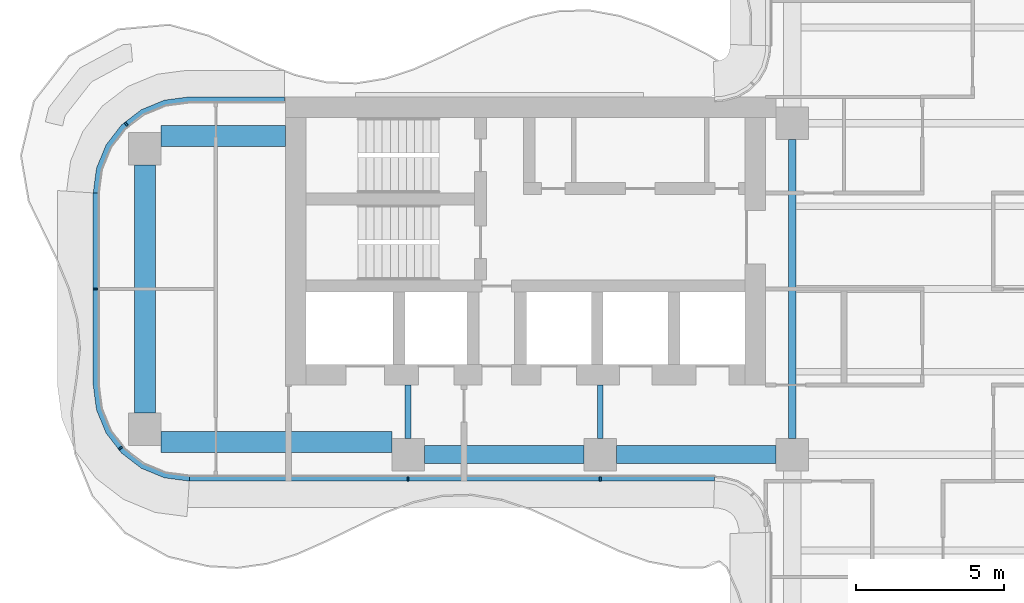
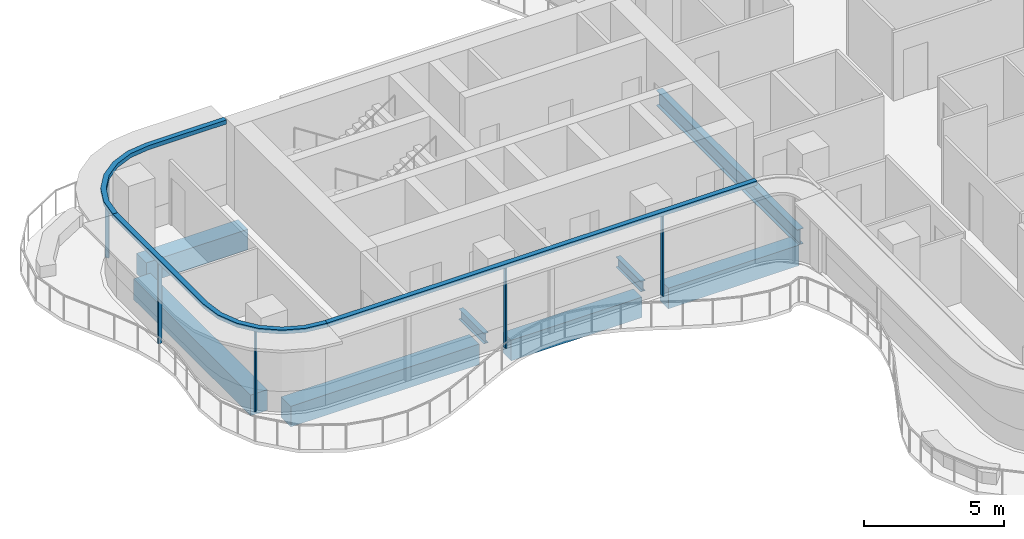
# One storey, part 3 of 16: 8 beams, 8 members, 3 elements without a shape of their own.
"""IFC4 building model written with IfcOpenShell, lengths in metres."""

from ifc_helpers import new_model, si_unit, direction, frame, origin, origin_2d, place, context, subcontext, project, spatial, polyline, rectangle, i_section, outline, extrude, source, transform, mapped, material, layer, layer_set, material_profile, profile_set, type_object, element, aggregate, save


model = new_model("IFC4")

# Units and contexts
model_context = context("Model", 3, precision=1e-05, world=origin(), true_north=direction((0.0, 1.0)))
body_context = subcontext(model_context, "Body", "Model", "MODEL_VIEW")
ifc_project = project(units=[si_unit("LENGTHUNIT", "METRE"), si_unit("AREAUNIT", "SQUARE_METRE"), si_unit("VOLUMEUNIT", "CUBIC_METRE"), si_unit("PLANEANGLEUNIT", "RADIAN"), si_unit("MASSUNIT", "GRAM", prefix="KILO")], contexts=[model_context])

# Site, building, storey
site_placement = place(None, origin())
site = spatial("IfcSite", under=ifc_project, at=site_placement, CompositionType="ELEMENT")
building_placement = place(site_placement, origin())
building = spatial("IfcBuilding", under=site, at=building_placement, Name="Trellis Farm Tower", CompositionType="ELEMENT")
storey_placement = place(building_placement, frame((0.0, 0.0, 263.60009765625)))
storey = spatial("IfcBuildingStorey", under=building, at=storey_placement, Name="L59", CompositionType="ELEMENT", Elevation=263.60009765625)

# Beams
ifc_material_1 = material(Name="Steel S355", Category="steel")
ifc_material_profile_1 = material_profile(ifc_material_1, i_section(OverallWidth=0.253662109375, OverallDepth=0.68359375, WebThickness=0.012451171875, FlangeThickness=0.021728515625, FilletRadius=0.01513671875, at=origin_2d()), Name="UB 686x254x140")
ifc_profile_set_1 = profile_set([ifc_material_profile_1], Name="Steel S355")
beam_type_1 = type_object("IfcBeamType", Name="UB 686x254x140", PredefinedType="BEAM", material=ifc_profile_set_1)
shared_shape_1 = source(origin(), body_context, "Body", "SweptSolid", [
    extrude(i_section(OverallWidth=0.253662109375, OverallDepth=0.68359375, WebThickness=0.012451171875, FlangeThickness=0.021728515625, FilletRadius=0.01513671875, at=origin_2d()), origin(), (0.0, 0.0, 1.0), 10.10009765625),
])
beam_1_placement = place(storey_placement, frame((-5.60009765625, -5.050048828125, -0.541748046875), z_axis=(0.0, 1.0, 0.0), x_axis=(-1.0, 0.0, 0.0)))
element("IfcBeam", 1, at=beam_1_placement, inside=storey, type_object=beam_type_1, Name="Girder", PredefinedType="BEAM", context=body_context, shape_type="MappedRepresentation", body=[
    mapped(shared_shape_1, transform((0.0, 0.0, 0.0))),
])
ifc_material_profile_2 = material_profile(ifc_material_1, i_section(OverallWidth=0.1904296875, OverallDepth=0.45703125, WebThickness=0.009033203125, FlangeThickness=0.014404296875, FilletRadius=0.01025390625, at=origin_2d()), Name="UB 457x191x74")
ifc_profile_set_2 = profile_set([ifc_material_profile_2], Name="Steel S355")
beam_type_2 = type_object("IfcBeamType", Name="UB 457x191x74", PredefinedType="BEAM", material=ifc_profile_set_2)
shared_shape_2 = source(origin(), body_context, "Body", "SweptSolid", [
    extrude(i_section(OverallWidth=0.1904296875, OverallDepth=0.45703125, WebThickness=0.009033203125, FlangeThickness=0.014404296875, FilletRadius=0.01025390625, at=origin_2d()), origin(), (0.0, 0.0, 1.0), 1.800048828125),
])
for number, where, z_axis, x_axis, name in (
    (2, (-18.60009765625, -5.050048828125, -0.4287109375), (0.0, 1.0, 0.0), (-1.0, 0.0, 0.0), "Girder"),
    (3, (-12.10009765625, -5.050048828125, -0.4287109375), (0.0, 1.0, 0.0), (-1.0, 0.0, 0.0), "Girder"),
):
    element("IfcBeam", number, at=place(storey_placement, frame(where, z_axis=z_axis, x_axis=x_axis)), inside=storey, type_object=beam_type_2, Name=name, PredefinedType="BEAM", context=body_context, shape_type="MappedRepresentation", body=[
        mapped(shared_shape_2, transform((0.0, 0.0, 0.0))),
    ])
ifc_material_2 = material(Name="Concrete C60/75", Category="concrete")
ifc_material_profile_3 = material_profile(ifc_material_2, rectangle(XDim=0.60009765625, YDim=0.89990234375, at=origin_2d()), Name="RC spandrel beam 600x900 C60/75")
ifc_profile_set_3 = profile_set([ifc_material_profile_3], Name="Concrete C60/75")
beam_type_3 = type_object("IfcBeamType", Name="RC spandrel beam 600x900 C60/75", PredefinedType="SPANDREL", material=ifc_profile_set_3)
shared_shape_3 = source(origin(), body_context, "Body", "SweptSolid", [
    extrude(rectangle(XDim=0.60009765625, YDim=0.89990234375, at=origin_2d()), origin(), (0.0, 0.0, 1.0), 5.400146484375),
])
for number, where, z_axis, x_axis, name in (
    (4, (-18.050048828125, -5.60009765625, -0.650146484375), (1.0, 0.0, 0.0), (0.0, 1.0, 0.0), "Girder"),
    (5, (-11.550048828125, -5.60009765625, -0.650146484375), (1.0, 0.0, 0.0), (0.0, 1.0, 0.0), "Girder"),
):
    element("IfcBeam", number, at=place(storey_placement, frame(where, z_axis=z_axis, x_axis=x_axis)), inside=storey, type_object=beam_type_3, Name=name, PredefinedType="SPANDREL", context=body_context, shape_type="MappedRepresentation", body=[
        mapped(shared_shape_3, transform((0.0, 0.0, 0.0))),
    ])
ifc_material_profile_4 = material_profile(ifc_material_2, rectangle(XDim=0.699951171875, YDim=0.89990234375, at=origin_2d()), Name="RC spandrel beam 700x900 C60/75")
ifc_profile_set_4 = profile_set([ifc_material_profile_4], Name="Concrete C60/75")
beam_type_4 = type_object("IfcBeamType", Name="RC spandrel beam 700x900 C60/75", PredefinedType="SPANDREL", material=ifc_profile_set_4)
shared_shape_4 = source(origin(), body_context, "Body", "SweptSolid", [
    extrude(rectangle(XDim=0.699951171875, YDim=0.89990234375, at=origin_2d()), origin(), (0.0, 0.0, 1.0), 8.39990234375),
])
beam_2_placement = place(storey_placement, frame((-27.5, -4.199951171875, -0.650146484375), z_axis=(0.0, 1.0, 0.0), x_axis=(-1.0, 0.0, 0.0)))
element("IfcBeam", 6, at=beam_2_placement, inside=storey, type_object=beam_type_4, Name="Girder", PredefinedType="SPANDREL", context=body_context, shape_type="MappedRepresentation", body=[
    mapped(shared_shape_4, transform((0.0, 0.0, 0.0))),
])
shared_shape_5 = source(origin(), body_context, "Body", "SweptSolid", [
    extrude(rectangle(XDim=0.699951171875, YDim=0.89990234375, at=origin_2d()), origin(), (0.0, 0.0, 1.0), 7.800048828125),
])
beam_3_placement = place(storey_placement, frame((-26.949951171875, -5.175048828125, -0.650146484375), z_axis=(1.0, 0.0, 0.0), x_axis=(0.0, 1.0, 0.0)))
element("IfcBeam", 7, at=beam_3_placement, inside=storey, type_object=beam_type_4, Name="Girder", PredefinedType="SPANDREL", context=body_context, shape_type="MappedRepresentation", body=[
    mapped(shared_shape_5, transform((0.0, 0.0, 0.0))),
])
shared_shape_6 = source(origin(), body_context, "Body", "SweptSolid", [
    extrude(rectangle(XDim=0.699951171875, YDim=0.89990234375, at=origin_2d()), origin(), (0.0, 0.0, 1.0), 4.199951171875),
])
beam_4_placement = place(storey_placement, frame((-26.949951171875, 5.175048828125, -0.650146484375), z_axis=(1.0, 0.0, 0.0), x_axis=(0.0, 1.0, 0.0)))
element("IfcBeam", 8, at=beam_4_placement, inside=storey, type_object=beam_type_4, Name="Girder", PredefinedType="SPANDREL", context=body_context, shape_type="MappedRepresentation", body=[
    mapped(shared_shape_6, transform((0.0, 0.0, 0.0))),
])

# Curtain wall, members
ifc_material_3 = material(Name="Aluminium and glass curtain wall", Category="aluminium")
ifc_layer_1 = layer(ifc_material_3, 0.18994140625)
ifc_layer_set_1 = layer_set([ifc_layer_1], Name="RIBBON CURTAIN WALL CW1")
curtain_wall_type = type_object("IfcCurtainWallType", Name="RIBBON CURTAIN WALL CW1", PredefinedType="NOTDEFINED", material=ifc_layer_set_1)
placement_1 = place(storey_placement, origin())
curtain_wall_1 = element("IfcCurtainWall", 9, at=placement_1, inside=storey, type_object=curtain_wall_type, Name="CW1 001", PredefinedType="NOTDEFINED")
ifc_material_4 = material(Name="Aluminium extrusion 6063-T6", Category="aluminium")
ifc_material_profile_5 = material_profile(ifc_material_4, rectangle(XDim=0.06005859375, YDim=0.14990234375, at=origin_2d()), Name="MULLION 60x150")
ifc_profile_set_5 = profile_set([ifc_material_profile_5], Name="Aluminium extrusion 6063-T6")
member_type_1 = type_object("IfcMemberType", Name="CW1 MULLION 60x150", PredefinedType="MULLION", material=ifc_profile_set_5)
shared_shape_7 = source(origin(), body_context, "Body", "SweptSolid", [
    extrude(rectangle(XDim=0.06005859375, YDim=0.14990234375, at=origin_2d()), origin(), (0.0, 0.0, 1.0), 3.52001953125),
])
member_1_placement = place(storey_placement, frame((-18.60009765625, -6.425048828125, 0.0), z_axis=(0.0, 0.0, 1.0), x_axis=(1.0, 0.0, 0.0)))
member_1 = element("IfcMember", 10, at=member_1_placement, type_object=member_type_1, Name="MU1 001-01", PredefinedType="MULLION", context=body_context, shape_type="MappedRepresentation", body=[
    mapped(shared_shape_7, transform((0.0, 0.0, 0.0))),
])
member_2_placement = place(storey_placement, frame((-12.10009765625, -6.425048828125, 0.0), z_axis=(0.0, 0.0, 1.0), x_axis=(1.0, 0.0, 0.0)))
member_2 = element("IfcMember", 11, at=member_2_placement, type_object=member_type_1, Name="MU1 001-02", PredefinedType="MULLION", context=body_context, shape_type="MappedRepresentation", body=[
    mapped(shared_shape_7, transform((0.0, 0.0, 0.0))),
])

# Curtain wall, member
curtain_wall_2 = element("IfcCurtainWall", 12, at=placement_1, inside=storey, type_object=curtain_wall_type, Name="CW1 012", PredefinedType="NOTDEFINED")
member_3_placement = place(storey_placement, frame((-28.135498046875, 5.578369140625, 0.0), z_axis=(0.0, 0.0, 1.0), x_axis=(-0.793353340291, -0.608761429009, 0.0)))
member_3 = element("IfcMember", 13, at=member_3_placement, type_object=member_type_1, Name="MU1 012-01", PredefinedType="MULLION", context=body_context, shape_type="MappedRepresentation", body=[
    mapped(shared_shape_7, transform((0.0, 0.0, 0.0))),
])

# Curtain wall, members
curtain_wall_3 = element("IfcCurtainWall", 14, at=placement_1, inside=storey, type_object=curtain_wall_type, Name="CW1 013", PredefinedType="NOTDEFINED")
member_4_placement = place(storey_placement, frame((-29.175048828125, 0.0, 0.0), z_axis=(0.0, 0.0, 1.0), x_axis=(0.0, -1.0, 0.0)))
member_4 = element("IfcMember", 15, at=member_4_placement, type_object=member_type_1, Name="MU1 013-01", PredefinedType="MULLION", context=body_context, shape_type="MappedRepresentation", body=[
    mapped(shared_shape_7, transform((0.0, 0.0, 0.0))),
])
member_5_placement = place(storey_placement, frame((-28.328369140625, -5.385498046875, 0.0), z_axis=(0.0, 0.0, 1.0), x_axis=(0.608761429009, -0.793353340291, 0.0)))
member_5 = element("IfcMember", 16, at=member_5_placement, type_object=member_type_1, Name="MU1 013-02", PredefinedType="MULLION", context=body_context, shape_type="MappedRepresentation", body=[
    mapped(shared_shape_7, transform((0.0, 0.0, 0.0))),
])

# Member
ifc_layer_2 = layer(ifc_material_4, 0.199951171875)
ifc_layer_set_2 = layer_set([ifc_layer_2], Name="Aluminium extrusion 6063-T6")
member_type_2 = type_object("IfcMemberType", Name="CW1 TRANSOM 200x180", PredefinedType="USERDEFINED", material=ifc_layer_set_2)
shared_shape_8 = source(origin(), body_context, "Body", "SweptSolid", [
    extrude(outline(polyline([(-26.0, -6.5), (-8.2314453125, -6.5), (-8.224853515625, -6.300048828125), (-25.98681640625, -6.300048828125), (-26.0, -6.5)])), origin(), (0.0, 0.0, 1.0), 0.179931640625),
])
placement_2 = place(storey_placement, frame((0.0, 0.0, 3.52001953125)))
member_6 = element("IfcMember", 17, at=placement_2, type_object=member_type_2, Name="TR1 001", ObjectType="TRANSOM", PredefinedType="USERDEFINED", context=body_context, shape_type="MappedRepresentation", body=[
    mapped(shared_shape_8, transform((0.0, 0.0, 0.0))),
])

aggregate(curtain_wall_1, [member_1, member_2, member_6])

shared_shape_9 = source(origin(), body_context, "Body", "SweptSolid", [
    extrude(outline(polyline([(-22.780029296875, 6.5), (-26.0, 6.5), (-26.841064453125, 6.38916015625), (-27.625, 6.064697265625), (-28.298095703125, 5.548095703125), (-28.814697265625, 4.875), (-29.13916015625, 4.091064453125), (-29.25, 3.25), (-29.050048828125, 3.23681640625), (-28.9443359375, 4.0390625), (-28.639892578125, 4.774169921875), (-28.155517578125, 5.405517578125), (-27.524169921875, 5.889892578125), (-26.7890625, 6.1943359375), (-25.98681640625, 6.300048828125), (-22.780029296875, 6.300048828125), (-22.780029296875, 6.5)])), origin(), (0.0, 0.0, 1.0), 0.179931640625),
])
member_7 = element("IfcMember", 18, at=placement_2, type_object=member_type_2, Name="TR1 012", ObjectType="TRANSOM", PredefinedType="USERDEFINED", context=body_context, shape_type="MappedRepresentation", body=[
    mapped(shared_shape_9, transform((0.0, 0.0, 0.0))),
])

aggregate(curtain_wall_2, [member_3, member_7])

shared_shape_10 = source(origin(), body_context, "Body", "SweptSolid", [
    extrude(outline(polyline([(-29.25, 3.25), (-29.25, -3.25), (-29.13916015625, -4.091064453125), (-28.814697265625, -4.875), (-28.298095703125, -5.548095703125), (-27.625, -6.064697265625), (-26.841064453125, -6.38916015625), (-26.0, -6.5), (-25.98681640625, -6.300048828125), (-26.7890625, -6.1943359375), (-27.524169921875, -5.889892578125), (-28.155517578125, -5.405517578125), (-28.639892578125, -4.774169921875), (-28.9443359375, -4.0390625), (-29.050048828125, -3.23681640625), (-29.050048828125, 3.23681640625), (-29.25, 3.25)])), origin(), (0.0, 0.0, 1.0), 0.179931640625),
])
member_8 = element("IfcMember", 19, at=placement_2, type_object=member_type_2, Name="TR1 013", ObjectType="TRANSOM", PredefinedType="USERDEFINED", context=body_context, shape_type="MappedRepresentation", body=[
    mapped(shared_shape_10, transform((0.0, 0.0, 0.0))),
])

aggregate(curtain_wall_3, [member_4, member_5, member_8])

save(model, "model.ifc")
